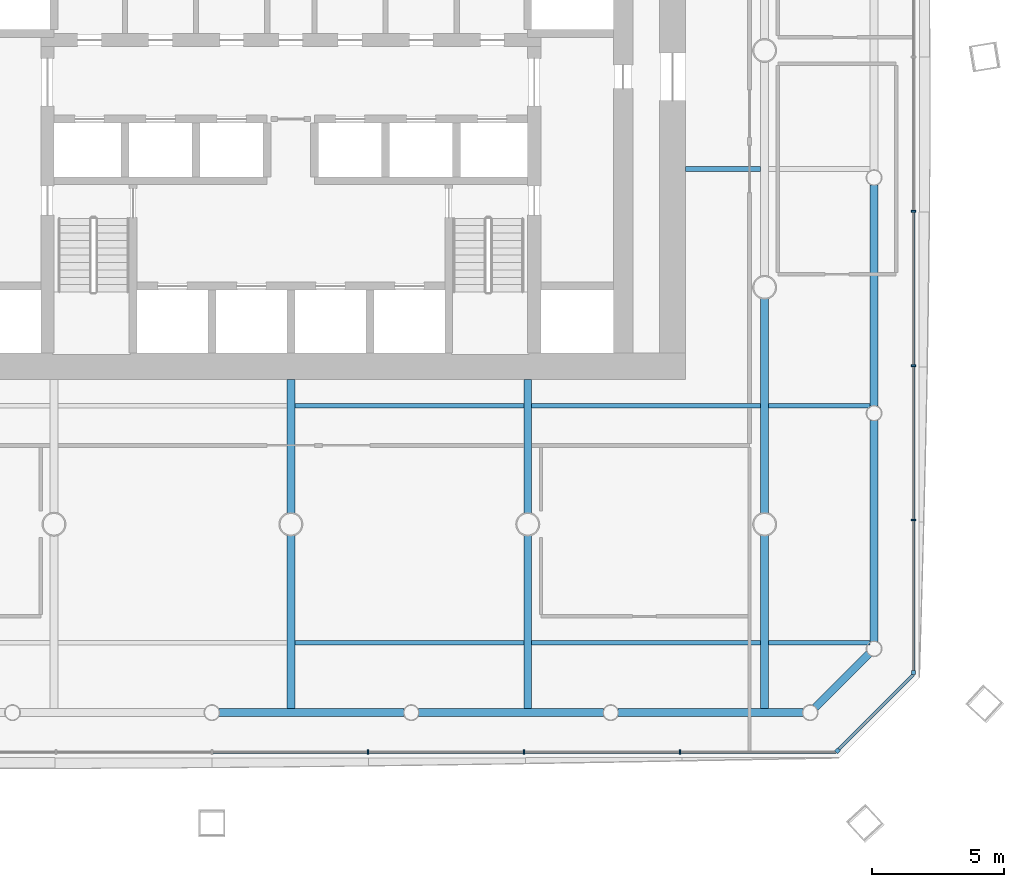
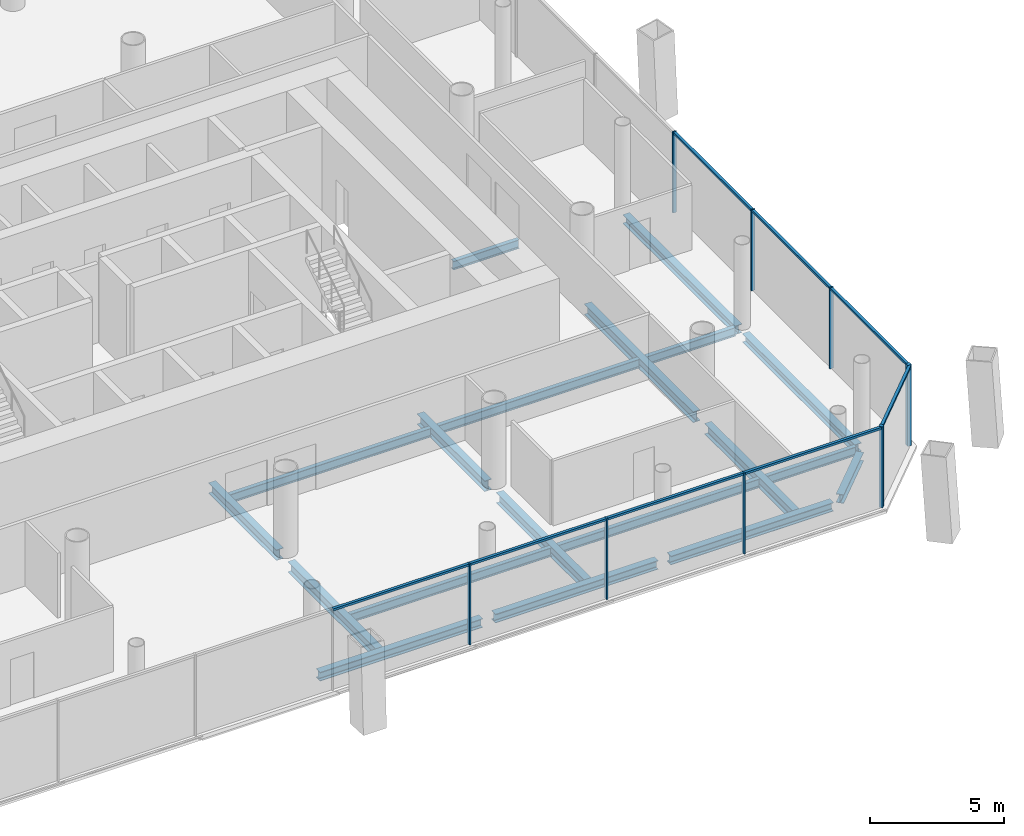
# One storey, part 5 of 21: 19 beams, 16 members, 3 elements without a shape of their own.
"""IFC4 building model written with IfcOpenShell, lengths in metres."""

from ifc_helpers import new_model, si_unit, direction, frame, origin, origin_2d, place, context, subcontext, project, spatial, rectangle, i_section, extrude, material, material_profile, profile_set, type_object, element, aggregate, save


model = new_model("IFC4")

# Units and contexts
model_context = context("Model", 3, precision=1e-05, world=origin(), true_north=direction((0.0, 1.0)))
body_context = subcontext(model_context, "Body", "Model", "MODEL_VIEW")
ifc_project = project(units=[si_unit("LENGTHUNIT", "METRE"), si_unit("AREAUNIT", "SQUARE_METRE"), si_unit("VOLUMEUNIT", "CUBIC_METRE"), si_unit("PLANEANGLEUNIT", "RADIAN"), si_unit("MASSUNIT", "GRAM", prefix="KILO")], contexts=[model_context])

# Site, building, storey
site_placement = place(None, origin())
site = spatial("IfcSite", under=ifc_project, at=site_placement, CompositionType="ELEMENT")
building_placement = place(site_placement, origin())
building = spatial("IfcBuilding", under=site, at=building_placement, Name="Tskaro Facet Tower", CompositionType="ELEMENT")
storey_placement = place(building_placement, frame((0.0, 0.0, 42.0)))
storey = spatial("IfcBuildingStorey", under=building, at=storey_placement, Name="L09", CompositionType="ELEMENT", Elevation=42.0)

# Curtain wall, member
ifc_material_1 = material(Name="Bronze anodised aluminium 6063-T6", Category="aluminium")
curtain_wall_type = type_object("IfcCurtainWallType", Name="Bronze office curtain wall (FW1)", PredefinedType="NOTDEFINED", material=ifc_material_1)
curtain_wall_1_placement = place(storey_placement, origin())
curtain_wall_1 = element("IfcCurtainWall", 1, at=curtain_wall_1_placement, inside=storey, type_object=curtain_wall_type, Name="FW1 south-east facet L09", PredefinedType="NOTDEFINED")
ifc_material_profile_1 = material_profile(ifc_material_1, rectangle(XDim=0.159912109375, YDim=0.159912109375, at=origin_2d()), Name="Corner post 160x160")
ifc_profile_set_1 = profile_set([ifc_material_profile_1], Name="Bronze anodised aluminium 6063-T6")
member_type_1 = type_object("IfcMemberType", Name="FW1 bronze corner post 160x160", PredefinedType="MULLION", material=ifc_profile_set_1)
member_1_placement = place(storey_placement, frame((20.76953125, -26.597412109375, 0.0), z_axis=(0.0, 0.0, 1.0), x_axis=(0.707106781187, 0.707106781187, 0.0)))
member_1 = element("IfcMember", 2, at=member_1_placement, type_object=member_type_1, Name="FW1 south-east corner post", PredefinedType="MULLION", context=body_context, shape_type="SweptSolid", body=[
    extrude(rectangle(XDim=0.159912109375, YDim=0.159912109375, at=origin_2d()), origin(), (0.0, 0.0, 1.0), 3.699951171875),
])

curtain_wall_2_placement = place(storey_placement, origin())
curtain_wall_2 = element("IfcCurtainWall", 3, at=curtain_wall_2_placement, inside=storey, type_object=curtain_wall_type, Name="FW1 east facet L09", PredefinedType="NOTDEFINED")
member_2_placement = place(storey_placement, frame((23.654052734375, -23.633056640625, 0.0), z_axis=(0.0, 0.0, 1.0), x_axis=(0.0, 1.0, 0.0)))
member_2 = element("IfcMember", 4, at=member_2_placement, type_object=member_type_1, Name="FW1 east corner post", PredefinedType="MULLION", context=body_context, shape_type="SweptSolid", body=[
    extrude(rectangle(XDim=0.159912109375, YDim=0.159912109375, at=origin_2d()), origin(), (0.0, 0.0, 1.0), 3.699951171875),
])

# Curtain wall, members
curtain_wall_3_placement = place(storey_placement, origin())
curtain_wall_3 = element("IfcCurtainWall", 5, at=curtain_wall_3_placement, inside=storey, type_object=curtain_wall_type, Name="FW1 south facet L09", PredefinedType="NOTDEFINED")
ifc_material_profile_2 = material_profile(ifc_material_1, rectangle(XDim=0.06005859375, YDim=0.159912109375, at=origin_2d()), Name="Mullion 60x160")
ifc_profile_set_2 = profile_set([ifc_material_profile_2], Name="Bronze anodised aluminium 6063-T6")
member_type_2 = type_object("IfcMemberType", Name="FW1 bronze mullion 60x160", PredefinedType="MULLION", material=ifc_profile_set_2)
member_3_placement = place(storey_placement, frame((2.92822265625, -26.654052734375, 0.0), z_axis=(0.0, 0.0, 1.0), x_axis=(1.0, 0.0, 0.0)))
member_3 = element("IfcMember", 6, at=member_3_placement, type_object=member_type_2, Name="FW1 south mullion 5", PredefinedType="MULLION", context=body_context, shape_type="SweptSolid", body=[
    extrude(rectangle(XDim=0.06005859375, YDim=0.159912109375, at=origin_2d()), origin(), (0.0, 0.0, 1.0), 3.699951171875),
])
member_4_placement = place(storey_placement, frame((8.8564453125, -26.654052734375, 0.0), z_axis=(0.0, 0.0, 1.0), x_axis=(1.0, 0.0, 0.0)))
member_4 = element("IfcMember", 7, at=member_4_placement, type_object=member_type_2, Name="FW1 south mullion 6", PredefinedType="MULLION", context=body_context, shape_type="SweptSolid", body=[
    extrude(rectangle(XDim=0.06005859375, YDim=0.159912109375, at=origin_2d()), origin(), (0.0, 0.0, 1.0), 3.699951171875),
])
member_5_placement = place(storey_placement, frame((14.78466796875, -26.654052734375, 0.0), z_axis=(0.0, 0.0, 1.0), x_axis=(1.0, 0.0, 0.0)))
member_5 = element("IfcMember", 8, at=member_5_placement, type_object=member_type_2, Name="FW1 south mullion 7", PredefinedType="MULLION", context=body_context, shape_type="SweptSolid", body=[
    extrude(rectangle(XDim=0.06005859375, YDim=0.159912109375, at=origin_2d()), origin(), (0.0, 0.0, 1.0), 3.699951171875),
])

# Member
member_6_placement = place(storey_placement, frame((23.654052734375, -17.844482421875, 0.0), z_axis=(0.0, 0.0, 1.0), x_axis=(0.0, 1.0, 0.0)))
member_6 = element("IfcMember", 9, at=member_6_placement, type_object=member_type_2, Name="FW1 east mullion 1", PredefinedType="MULLION", context=body_context, shape_type="SweptSolid", body=[
    extrude(rectangle(XDim=0.06005859375, YDim=0.159912109375, at=origin_2d()), origin(), (0.0, 0.0, 1.0), 3.699951171875),
])

member_7_placement = place(storey_placement, frame((23.654052734375, -11.97607421875, 0.0), z_axis=(0.0, 0.0, 1.0), x_axis=(0.0, 1.0, 0.0)))
member_7 = element("IfcMember", 10, at=member_7_placement, type_object=member_type_2, Name="FW1 east mullion 2", PredefinedType="MULLION", context=body_context, shape_type="SweptSolid", body=[
    extrude(rectangle(XDim=0.06005859375, YDim=0.159912109375, at=origin_2d()), origin(), (0.0, 0.0, 1.0), 3.699951171875),
])

member_8_placement = place(storey_placement, frame((23.654052734375, -6.107421875, 0.0), z_axis=(0.0, 0.0, 1.0), x_axis=(0.0, 1.0, 0.0)))
member_8 = element("IfcMember", 11, at=member_8_placement, type_object=member_type_2, Name="FW1 east mullion 3", PredefinedType="MULLION", context=body_context, shape_type="SweptSolid", body=[
    extrude(rectangle(XDim=0.06005859375, YDim=0.159912109375, at=origin_2d()), origin(), (0.0, 0.0, 1.0), 3.699951171875),
])

ifc_material_profile_3 = material_profile(ifc_material_1, rectangle(XDim=0.1201171875, YDim=0.10009765625, at=origin_2d()), Name="Transom 120x100")
ifc_profile_set_3 = profile_set([ifc_material_profile_3], Name="Bronze anodised aluminium 6063-T6")
member_type_3 = type_object("IfcMemberType", Name="FW1 bronze transom 120x100", PredefinedType="USERDEFINED", material=ifc_profile_set_3)
member_9_placement = place(storey_placement, frame((-2.969970703125, -26.654052734375, 3.64990234375), z_axis=(1.0, 0.0, 0.0), x_axis=(0.0, 1.0, 0.0)))
member_9 = element("IfcMember", 12, at=member_9_placement, type_object=member_type_3, Name="FW1 south transom 5.1", ObjectType="TRANSOM", PredefinedType="USERDEFINED", context=body_context, shape_type="SweptSolid", body=[
    extrude(rectangle(XDim=0.1201171875, YDim=0.10009765625, at=origin_2d()), origin(), (0.0, 0.0, 1.0), 5.8681640625),
])

member_10_placement = place(storey_placement, frame((2.958251953125, -26.654052734375, 3.64990234375), z_axis=(1.0, 0.0, 0.0), x_axis=(0.0, 1.0, 0.0)))
member_10 = element("IfcMember", 13, at=member_10_placement, type_object=member_type_3, Name="FW1 south transom 6.1", ObjectType="TRANSOM", PredefinedType="USERDEFINED", context=body_context, shape_type="SweptSolid", body=[
    extrude(rectangle(XDim=0.1201171875, YDim=0.10009765625, at=origin_2d()), origin(), (0.0, 0.0, 1.0), 5.8681640625),
])

member_11_placement = place(storey_placement, frame((8.886474609375, -26.654052734375, 3.64990234375), z_axis=(1.0, 0.0, 0.0), x_axis=(0.0, 1.0, 0.0)))
member_11 = element("IfcMember", 14, at=member_11_placement, type_object=member_type_3, Name="FW1 south transom 7.1", ObjectType="TRANSOM", PredefinedType="USERDEFINED", context=body_context, shape_type="SweptSolid", body=[
    extrude(rectangle(XDim=0.1201171875, YDim=0.10009765625, at=origin_2d()), origin(), (0.0, 0.0, 1.0), 5.8681640625),
])

member_12_placement = place(storey_placement, frame((14.814697265625, -26.654052734375, 3.64990234375), z_axis=(1.0, 0.0, 0.0), x_axis=(0.0, 1.0, 0.0)))
member_12 = element("IfcMember", 15, at=member_12_placement, type_object=member_type_3, Name="FW1 south transom 8.1", ObjectType="TRANSOM", PredefinedType="USERDEFINED", context=body_context, shape_type="SweptSolid", body=[
    extrude(rectangle(XDim=0.1201171875, YDim=0.10009765625, at=origin_2d()), origin(), (0.0, 0.0, 1.0), 5.898193359375),
])

aggregate(curtain_wall_3, [member_3, member_4, member_5, member_9, member_10, member_11, member_12])

member_13_placement = place(storey_placement, frame((20.826171875, -26.540771484375, 3.64990234375), z_axis=(0.707106781187, 0.707106781187, 0.0), x_axis=(-0.707106781187, 0.707106781187, 0.0)))
member_13 = element("IfcMember", 16, at=member_13_placement, type_object=member_type_3, Name="FW1 south-east transom 1.1", ObjectType="TRANSOM", PredefinedType="USERDEFINED", context=body_context, shape_type="SweptSolid", body=[
    extrude(rectangle(XDim=0.1201171875, YDim=0.10009765625, at=origin_2d()), origin(), (0.0, 0.0, 1.0), 3.999267578125),
])

aggregate(curtain_wall_1, [member_1, member_13])

member_14_placement = place(storey_placement, frame((23.654052734375, -23.552978515625, 3.64990234375), z_axis=(0.0, 1.0, 0.0), x_axis=(-1.0, 0.0, 0.0)))
member_14 = element("IfcMember", 17, at=member_14_placement, type_object=member_type_3, Name="FW1 east transom 1.1", ObjectType="TRANSOM", PredefinedType="USERDEFINED", context=body_context, shape_type="SweptSolid", body=[
    extrude(rectangle(XDim=0.1201171875, YDim=0.10009765625, at=origin_2d()), origin(), (0.0, 0.0, 1.0), 5.678466796875),
])

member_15_placement = place(storey_placement, frame((23.654052734375, -17.814453125, 3.64990234375), z_axis=(0.0, 1.0, 0.0), x_axis=(-1.0, 0.0, 0.0)))
member_15 = element("IfcMember", 18, at=member_15_placement, type_object=member_type_3, Name="FW1 east transom 2.1", ObjectType="TRANSOM", PredefinedType="USERDEFINED", context=body_context, shape_type="SweptSolid", body=[
    extrude(rectangle(XDim=0.1201171875, YDim=0.10009765625, at=origin_2d()), origin(), (0.0, 0.0, 1.0), 5.808349609375),
])

member_16_placement = place(storey_placement, frame((23.654052734375, -11.946044921875, 3.64990234375), z_axis=(0.0, 1.0, 0.0), x_axis=(-1.0, 0.0, 0.0)))
member_16 = element("IfcMember", 19, at=member_16_placement, type_object=member_type_3, Name="FW1 east transom 3.1", ObjectType="TRANSOM", PredefinedType="USERDEFINED", context=body_context, shape_type="SweptSolid", body=[
    extrude(rectangle(XDim=0.1201171875, YDim=0.10009765625, at=origin_2d()), origin(), (0.0, 0.0, 1.0), 5.80859375),
])

aggregate(curtain_wall_2, [member_2, member_6, member_7, member_8, member_14, member_15, member_16])

# Beams
ifc_material_2 = material(Name="Steel S355J2", Category="steel")
ifc_material_profile_4 = material_profile(ifc_material_2, i_section(OverallWidth=0.300048828125, OverallDepth=0.39990234375, WebThickness=0.013427734375, FlangeThickness=0.02392578125, FilletRadius=0.027099609375, at=origin_2d()), Name="HE 400 B")
ifc_profile_set_4 = profile_set([ifc_material_profile_4], Name="Steel S355J2")
beam_type_1 = type_object("IfcBeamType", Name="HE 400 B ring beam", PredefinedType="BEAM", material=ifc_profile_set_4)
beam_1_placement = place(storey_placement, frame((-2.72509765625, -25.156982421875, -0.340087890625), z_axis=(1.0, 0.0, 0.0), x_axis=(0.0, 1.0, 0.0)))
element("IfcBeam", 20, at=beam_1_placement, inside=storey, type_object=beam_type_1, Name="HE 400 B EB4-1", PredefinedType="BEAM", context=body_context, shape_type="SweptSolid", body=[
    extrude(i_section(OverallWidth=0.300048828125, OverallDepth=0.39990234375, WebThickness=0.013427734375, FlangeThickness=0.02392578125, FilletRadius=0.027099609375, at=origin_2d()), origin(), (0.0, 0.0, 1.0), 7.026123046875),
])
beam_2_placement = place(storey_placement, frame((4.85107421875, -25.156982421875, -0.340087890625), z_axis=(1.0, 0.0, 0.0), x_axis=(0.0, 1.0, 0.0)))
element("IfcBeam", 21, at=beam_2_placement, inside=storey, type_object=beam_type_1, Name="HE 400 B EB5-1", PredefinedType="BEAM", context=body_context, shape_type="SweptSolid", body=[
    extrude(i_section(OverallWidth=0.300048828125, OverallDepth=0.39990234375, WebThickness=0.013427734375, FlangeThickness=0.02392578125, FilletRadius=0.027099609375, at=origin_2d()), origin(), (0.0, 0.0, 1.0), 7.02685546875),
])
beam_3_placement = place(storey_placement, frame((12.427978515625, -25.156982421875, -0.340087890625), z_axis=(1.0, 0.0, 0.0), x_axis=(0.0, 1.0, 0.0)))
element("IfcBeam", 22, at=beam_3_placement, inside=storey, type_object=beam_type_1, Name="HE 400 B EB6-1", PredefinedType="BEAM", context=body_context, shape_type="SweptSolid", body=[
    extrude(i_section(OverallWidth=0.300048828125, OverallDepth=0.39990234375, WebThickness=0.013427734375, FlangeThickness=0.02392578125, FilletRadius=0.027099609375, at=origin_2d()), origin(), (0.0, 0.0, 1.0), 7.026123046875),
])
beam_4_placement = place(storey_placement, frame((19.92333984375, -24.962646484375, -0.340087890625), z_axis=(0.707106781187, 0.707106781187, 0.0), x_axis=(-0.707106781187, 0.707106781187, 0.0)))
element("IfcBeam", 23, at=beam_4_placement, inside=storey, type_object=beam_type_1, Name="HE 400 B EB7-1", PredefinedType="BEAM", context=body_context, shape_type="SweptSolid", body=[
    extrude(i_section(OverallWidth=0.300048828125, OverallDepth=0.39990234375, WebThickness=0.013427734375, FlangeThickness=0.02392578125, FilletRadius=0.027099609375, at=origin_2d()), origin(), (0.0, 0.0, 1.0), 2.884033203125),
])
for number, where, z_axis, x_axis, name in (
    (24, (22.156982421875, -22.4541015625, -0.340087890625), (0.0, 1.0, 0.0), (-1.0, 0.0, 0.0), "HE 400 B EB8-1"),
    (25, (22.156982421875, -13.506103515625, -0.340087890625), (0.0, 1.0, 0.0), (-1.0, 0.0, 0.0), "HE 400 B EB9-1"),
):
    element("IfcBeam", number, at=place(storey_placement, frame(where, z_axis=z_axis, x_axis=x_axis)), inside=storey, type_object=beam_type_1, Name=name, PredefinedType="BEAM", context=body_context, shape_type="SweptSolid", body=[
        extrude(i_section(OverallWidth=0.300048828125, OverallDepth=0.39990234375, WebThickness=0.013427734375, FlangeThickness=0.02392578125, FilletRadius=0.027099609375, at=origin_2d()), origin(), (0.0, 0.0, 1.0), 8.398193359375),
    ])
ifc_material_profile_5 = material_profile(ifc_material_2, i_section(OverallWidth=0.300048828125, OverallDepth=0.489990234375, WebThickness=0.011962890625, FlangeThickness=0.02294921875, FilletRadius=0.027099609375, at=origin_2d()), Name="HE 500 A")
ifc_profile_set_5 = profile_set([ifc_material_profile_5], Name="Steel S355J2")
beam_type_2 = type_object("IfcBeamType", Name="HE 500 A girder", PredefinedType="BEAM", material=ifc_profile_set_5)
beam_5_placement = place(storey_placement, frame((0.0, -25.007080078125, -0.385009765625), z_axis=(0.0, 1.0, 0.0), x_axis=(-1.0, 0.0, 0.0)))
element("IfcBeam", 26, at=beam_5_placement, inside=storey, type_object=beam_type_2, Name="HE 500 A GB4-1-1", PredefinedType="BEAM", context=body_context, shape_type="SweptSolid", body=[
    extrude(i_section(OverallWidth=0.300048828125, OverallDepth=0.489990234375, WebThickness=0.011962890625, FlangeThickness=0.02294921875, FilletRadius=0.027099609375, at=origin_2d()), origin(), (0.0, 0.0, 1.0), 6.579833984375),
])
beam_6_placement = place(storey_placement, frame((0.0, -17.57275390625, -0.385009765625), z_axis=(0.0, 1.0, 0.0), x_axis=(-1.0, 0.0, 0.0)))
element("IfcBeam", 27, at=beam_6_placement, inside=storey, type_object=beam_type_2, Name="HE 500 A GB4-2-1", PredefinedType="BEAM", context=body_context, shape_type="SweptSolid", body=[
    extrude(i_section(OverallWidth=0.300048828125, OverallDepth=0.489990234375, WebThickness=0.011962890625, FlangeThickness=0.02294921875, FilletRadius=0.027099609375, at=origin_2d()), origin(), (0.0, 0.0, 1.0), 5.07275390625),
])
beam_7_placement = place(storey_placement, frame((9.0, -25.007080078125, -0.385009765625), z_axis=(0.0, 1.0, 0.0), x_axis=(-1.0, 0.0, 0.0)))
element("IfcBeam", 28, at=beam_7_placement, inside=storey, type_object=beam_type_2, Name="HE 500 A GB5-1-1", PredefinedType="BEAM", context=body_context, shape_type="SweptSolid", body=[
    extrude(i_section(OverallWidth=0.300048828125, OverallDepth=0.489990234375, WebThickness=0.011962890625, FlangeThickness=0.02294921875, FilletRadius=0.027099609375, at=origin_2d()), origin(), (0.0, 0.0, 1.0), 6.579833984375),
])
beam_8_placement = place(storey_placement, frame((9.0, -17.57275390625, -0.385009765625), z_axis=(0.0, 1.0, 0.0), x_axis=(-1.0, 0.0, 0.0)))
element("IfcBeam", 29, at=beam_8_placement, inside=storey, type_object=beam_type_2, Name="HE 500 A GB5-2-1", PredefinedType="BEAM", context=body_context, shape_type="SweptSolid", body=[
    extrude(i_section(OverallWidth=0.300048828125, OverallDepth=0.489990234375, WebThickness=0.011962890625, FlangeThickness=0.02294921875, FilletRadius=0.027099609375, at=origin_2d()), origin(), (0.0, 0.0, 1.0), 5.07275390625),
])
beam_9_placement = place(storey_placement, frame((18.0, -25.007080078125, -0.385009765625), z_axis=(0.0, 1.0, 0.0), x_axis=(-1.0, 0.0, 0.0)))
element("IfcBeam", 30, at=beam_9_placement, inside=storey, type_object=beam_type_2, Name="HE 500 A GB6-1-1", PredefinedType="BEAM", context=body_context, shape_type="SweptSolid", body=[
    extrude(i_section(OverallWidth=0.300048828125, OverallDepth=0.489990234375, WebThickness=0.011962890625, FlangeThickness=0.02294921875, FilletRadius=0.027099609375, at=origin_2d()), origin(), (0.0, 0.0, 1.0), 6.579833984375),
])
beam_10_placement = place(storey_placement, frame((18.0, -17.57275390625, -0.385009765625), z_axis=(0.0, 1.0, 0.0), x_axis=(-1.0, 0.0, 0.0)))
element("IfcBeam", 31, at=beam_10_placement, inside=storey, type_object=beam_type_2, Name="HE 500 A GB6-2-1", PredefinedType="BEAM", context=body_context, shape_type="SweptSolid", body=[
    extrude(i_section(OverallWidth=0.300048828125, OverallDepth=0.489990234375, WebThickness=0.011962890625, FlangeThickness=0.02294921875, FilletRadius=0.027099609375, at=origin_2d()), origin(), (0.0, 0.0, 1.0), 8.1455078125),
])
ifc_material_profile_6 = material_profile(ifc_material_2, i_section(OverallWidth=0.179931640625, OverallDepth=0.39990234375, WebThickness=0.008544921875, FlangeThickness=0.013427734375, FilletRadius=0.02099609375, at=origin_2d()), Name="IPE 400")
ifc_profile_set_6 = profile_set([ifc_material_profile_6], Name="Steel S355J2")
beam_type_3 = type_object("IfcBeamType", Name="IPE 400 secondary beam", PredefinedType="BEAM", material=ifc_profile_set_6)
for number, where, z_axis, x_axis, name in (
    (32, (0.14990234375, -22.5, -0.340087890625), (1.0, 0.0, 0.0), (0.0, 1.0, 0.0), "IPE 400 SB1a-4-1"),
    (33, (9.14990234375, -22.5, -0.340087890625), (1.0, 0.0, 0.0), (0.0, 1.0, 0.0), "IPE 400 SB1a-5-1"),
):
    element("IfcBeam", number, at=place(storey_placement, frame(where, z_axis=z_axis, x_axis=x_axis)), inside=storey, type_object=beam_type_3, Name=name, PredefinedType="BEAM", context=body_context, shape_type="SweptSolid", body=[
        extrude(i_section(OverallWidth=0.179931640625, OverallDepth=0.39990234375, WebThickness=0.008544921875, FlangeThickness=0.013427734375, FilletRadius=0.02099609375, at=origin_2d()), origin(), (0.0, 0.0, 1.0), 8.7001953125),
    ])
beam_11_placement = place(storey_placement, frame((18.14990234375, -22.5, -0.340087890625), z_axis=(1.0, 0.0, 0.0), x_axis=(0.0, 1.0, 0.0)))
element("IfcBeam", 34, at=beam_11_placement, inside=storey, type_object=beam_type_3, Name="IPE 400 SB1a-6-1", PredefinedType="BEAM", context=body_context, shape_type="SweptSolid", body=[
    extrude(i_section(OverallWidth=0.179931640625, OverallDepth=0.39990234375, WebThickness=0.008544921875, FlangeThickness=0.013427734375, FilletRadius=0.02099609375, at=origin_2d()), origin(), (0.0, 0.0, 1.0), 3.857177734375),
])
for number, where, z_axis, x_axis, name in (
    (35, (0.14990234375, -13.5, -0.340087890625), (1.0, 0.0, 0.0), (0.0, 1.0, 0.0), "IPE 400 SB2a-4-1"),
    (36, (9.14990234375, -13.5, -0.340087890625), (1.0, 0.0, 0.0), (0.0, 1.0, 0.0), "IPE 400 SB2a-5-1"),
):
    element("IfcBeam", number, at=place(storey_placement, frame(where, z_axis=z_axis, x_axis=x_axis)), inside=storey, type_object=beam_type_3, Name=name, PredefinedType="BEAM", context=body_context, shape_type="SweptSolid", body=[
        extrude(i_section(OverallWidth=0.179931640625, OverallDepth=0.39990234375, WebThickness=0.008544921875, FlangeThickness=0.013427734375, FilletRadius=0.02099609375, at=origin_2d()), origin(), (0.0, 0.0, 1.0), 8.7001953125),
    ])
beam_12_placement = place(storey_placement, frame((18.14990234375, -13.5, -0.340087890625), z_axis=(1.0, 0.0, 0.0), x_axis=(0.0, 1.0, 0.0)))
element("IfcBeam", 37, at=beam_12_placement, inside=storey, type_object=beam_type_3, Name="IPE 400 SB2a-6-1", PredefinedType="BEAM", context=body_context, shape_type="SweptSolid", body=[
    extrude(i_section(OverallWidth=0.179931640625, OverallDepth=0.39990234375, WebThickness=0.008544921875, FlangeThickness=0.013427734375, FilletRadius=0.02099609375, at=origin_2d()), origin(), (0.0, 0.0, 1.0), 3.857177734375),
])
beam_13_placement = place(storey_placement, frame((15.0, -4.5, -0.340087890625), z_axis=(1.0, 0.0, 0.0), x_axis=(0.0, 1.0, 0.0)))
element("IfcBeam", 38, at=beam_13_placement, inside=storey, type_object=beam_type_3, Name="IPE 400 SB3a-3-1", PredefinedType="BEAM", context=body_context, shape_type="SweptSolid", body=[
    extrude(i_section(OverallWidth=0.179931640625, OverallDepth=0.39990234375, WebThickness=0.008544921875, FlangeThickness=0.013427734375, FilletRadius=0.02099609375, at=origin_2d()), origin(), (0.0, 0.0, 1.0), 2.85009765625),
])

save(model, "model.ifc")
